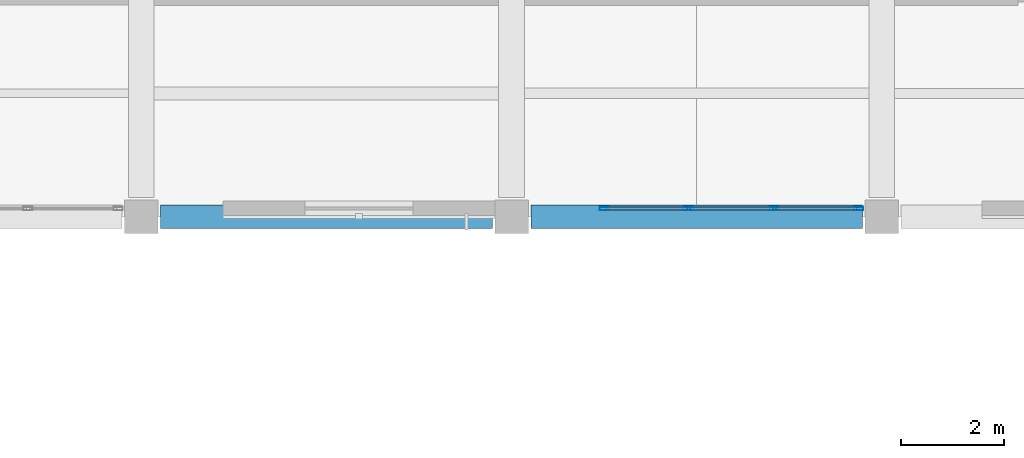
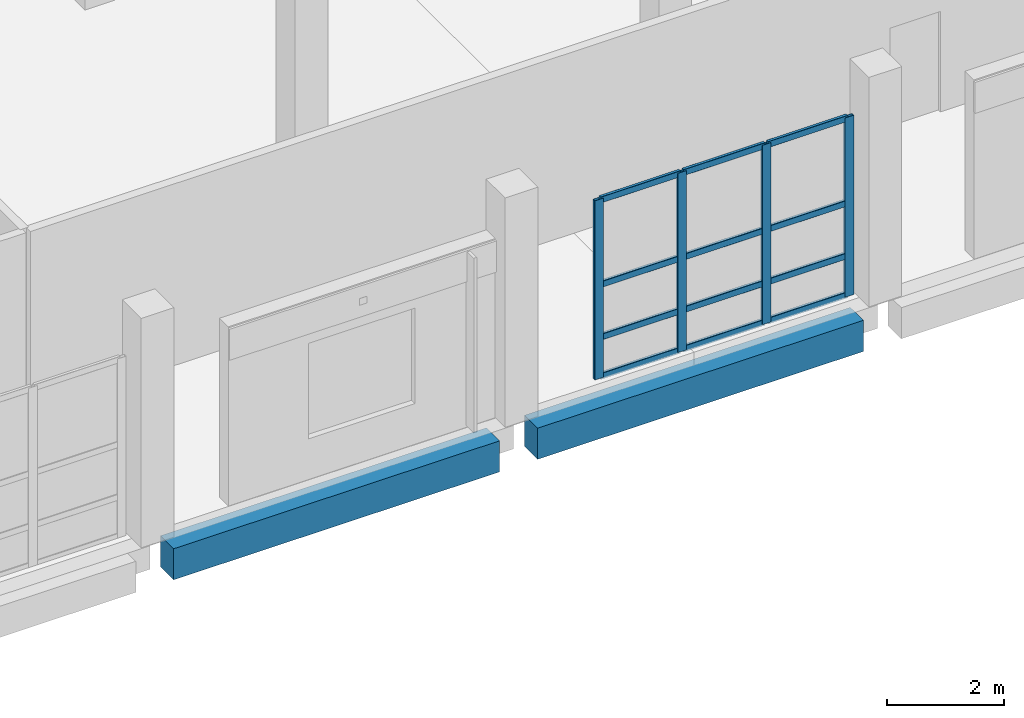
# One storey, part 55 of 127: 16 members, 2 beams, 1 element without a shape of its own.
"""IFC4 building model written with IfcOpenShell, lengths in metres."""

from ifc_helpers import new_model, si_unit, direction, frame, origin, origin_2d, place, context, subcontext, project, spatial, rectangle, hollow_rectangle, extrude, material, material_profile, profile_set, type_object, element, aggregate, save


model = new_model("IFC4")

# Units and contexts
model_context = context("Model", 3, precision=1e-05, world=origin(), true_north=direction((0.0, 1.0)))
body_context = subcontext(model_context, "Body", "Model", "MODEL_VIEW")
ifc_project = project(units=[si_unit("LENGTHUNIT", "METRE"), si_unit("AREAUNIT", "SQUARE_METRE"), si_unit("VOLUMEUNIT", "CUBIC_METRE"), si_unit("PLANEANGLEUNIT", "RADIAN"), si_unit("MASSUNIT", "GRAM", prefix="KILO")], contexts=[model_context])

# Site, building, storey
site_placement = place(None, origin())
site = spatial("IfcSite", under=ifc_project, at=site_placement, CompositionType="ELEMENT")
building_placement = place(site_placement, origin())
building = spatial("IfcBuilding", under=site, at=building_placement, Name="Kalmorath City Hall", CompositionType="ELEMENT")
storey_placement = place(building_placement, frame((0.0, 0.0, 5.39990234375)))
storey = spatial("IfcBuildingStorey", under=building, at=storey_placement, Name="L01", CompositionType="ELEMENT", Elevation=5.39990234375)

# Beams
ifc_material_1 = material(Name="Concrete C40/50", Category="concrete")
ifc_material_profile_1 = material_profile(ifc_material_1, rectangle(XDim=0.449951171875, YDim=0.64990234375, at=origin_2d()), Name="RC-BM-450X650")
ifc_profile_set_1 = profile_set([ifc_material_profile_1], Name="Concrete C40/50")
beam_type = type_object("IfcBeamType", Name="Concrete spandrel beam 450x650", PredefinedType="SPANDREL", material=ifc_profile_set_1)
for number, where, z_axis, x_axis, name in (
    (1, (93.97509765625, 93.60009765625, -0.64892578125), (1.0, 0.0, 0.0), (0.0, 1.0, 0.0), "L01 girder CB5 X14-15/14"),
    (2, (101.175048828125, 93.60009765625, -0.64892578125), (1.0, 0.0, 0.0), (0.0, 1.0, 0.0), "L01 girder CB5 X15-16/14"),
):
    element("IfcBeam", number, at=place(storey_placement, frame(where, z_axis=z_axis, x_axis=x_axis)), inside=storey, type_object=beam_type, Name=name, PredefinedType="SPANDREL", context=body_context, shape_type="SweptSolid", body=[
        extrude(rectangle(XDim=0.449951171875, YDim=0.64990234375, at=origin_2d()), origin(), (0.0, 0.0, 1.0), 6.449951171875),
    ])

# Curtain wall, members
ifc_material_2 = material(Name="Anodised aluminium and laminated glass", Category="aluminium")
curtain_wall_type = type_object("IfcCurtainWallType", Name="Unitised hurricane curtain wall 5016x3751 M1750", PredefinedType="NOTDEFINED", material=ifc_material_2)
curtain_wall_placement = place(storey_placement, origin())
curtain_wall = element("IfcCurtainWall", 3, at=curtain_wall_placement, inside=storey, type_object=curtain_wall_type, Name="L01 curtain wall CW-50X38M18 #102", PredefinedType="NOTDEFINED")
ifc_material_3 = material(Name="Anodised aluminium framing", Category="aluminium")
ifc_material_profile_2 = material_profile(ifc_material_3, hollow_rectangle(XDim=0.06494140625, YDim=0.179931640625, WallThickness=0.00390625, InnerFilletRadius=0.00390625, OuterFilletRadius=0.008056640625, at=origin_2d()), Name="ALU-MUL-180X65X4")
ifc_profile_set_2 = profile_set([ifc_material_profile_2], Name="Anodised aluminium framing")
member_type_1 = type_object("IfcMemberType", Name="Curtain-wall courtyard mullion 180x65", PredefinedType="MULLION", material=ifc_profile_set_2)
member_1_placement = place(storey_placement, frame((107.552490234375, 93.760009765625, 0.0), z_axis=(0.0, 0.0, 1.0), x_axis=(0.0, -1.0, 0.0)))
member_1 = element("IfcMember", 4, at=member_1_placement, type_object=member_type_1, Name="CW-50X38M18 mullion 1", PredefinedType="MULLION", context=body_context, shape_type="SweptSolid", body=[
    extrude(hollow_rectangle(XDim=0.06494140625, YDim=0.179931640625, WallThickness=0.00390625, InnerFilletRadius=0.00390625, OuterFilletRadius=0.008056640625, at=origin_2d()), origin(), (0.0, 0.0, 1.0), 3.7509765625),
])
member_2_placement = place(storey_placement, frame((105.9130859375, 93.760009765625, 0.0), z_axis=(0.0, 0.0, 1.0), x_axis=(0.0, -1.0, 0.0)))
member_2 = element("IfcMember", 5, at=member_2_placement, type_object=member_type_1, Name="CW-50X38M18 mullion 2", PredefinedType="MULLION", context=body_context, shape_type="SweptSolid", body=[
    extrude(hollow_rectangle(XDim=0.06494140625, YDim=0.179931640625, WallThickness=0.00390625, InnerFilletRadius=0.00390625, OuterFilletRadius=0.008056640625, at=origin_2d()), origin(), (0.0, 0.0, 1.0), 3.7509765625),
])
member_3_placement = place(storey_placement, frame((104.240966796875, 93.760009765625, 0.0), z_axis=(0.0, 0.0, 1.0), x_axis=(0.0, -1.0, 0.0)))
member_3 = element("IfcMember", 6, at=member_3_placement, type_object=member_type_1, Name="CW-50X38M18 mullion 3", PredefinedType="MULLION", context=body_context, shape_type="SweptSolid", body=[
    extrude(hollow_rectangle(XDim=0.06494140625, YDim=0.179931640625, WallThickness=0.00390625, InnerFilletRadius=0.00390625, OuterFilletRadius=0.008056640625, at=origin_2d()), origin(), (0.0, 0.0, 1.0), 3.7509765625),
])
member_4_placement = place(storey_placement, frame((102.601318359375, 93.760009765625, 0.0), z_axis=(0.0, 0.0, 1.0), x_axis=(0.0, -1.0, 0.0)))
member_4 = element("IfcMember", 7, at=member_4_placement, type_object=member_type_1, Name="CW-50X38M18 mullion 4", PredefinedType="MULLION", context=body_context, shape_type="SweptSolid", body=[
    extrude(hollow_rectangle(XDim=0.06494140625, YDim=0.179931640625, WallThickness=0.00390625, InnerFilletRadius=0.00390625, OuterFilletRadius=0.008056640625, at=origin_2d()), origin(), (0.0, 0.0, 1.0), 3.7509765625),
])
ifc_material_4 = material(Name="Anodised aluminium framing", Category="aluminium")
ifc_material_profile_3 = material_profile(ifc_material_4, hollow_rectangle(XDim=0.06005859375, YDim=0.1298828125, WallThickness=0.00341796875, InnerFilletRadius=0.00341796875, OuterFilletRadius=0.007080078125, at=origin_2d()), Name="ALU-TRN-130X60X3.5")
ifc_profile_set_3 = profile_set([ifc_material_profile_3], Name="Anodised aluminium framing")
member_type_2 = type_object("IfcMemberType", Name="Curtain-wall courtyard transom 130x60", PredefinedType="USERDEFINED", material=ifc_profile_set_3)
member_5_placement = place(storey_placement, frame((107.52001953125, 93.760009765625, 0.030029296875), z_axis=(-1.0, 0.0, 0.0), x_axis=(0.0, -1.0, 0.0)))
member_5 = element("IfcMember", 8, at=member_5_placement, type_object=member_type_2, Name="CW-50X38M18 transom 1.1", ObjectType="TRANSOM", PredefinedType="USERDEFINED", context=body_context, shape_type="SweptSolid", body=[
    extrude(hollow_rectangle(XDim=0.06005859375, YDim=0.1298828125, WallThickness=0.00341796875, InnerFilletRadius=0.00341796875, OuterFilletRadius=0.007080078125, at=origin_2d()), origin(), (0.0, 0.0, 1.0), 1.574462890625),
])
member_6_placement = place(storey_placement, frame((107.52001953125, 93.760009765625, 0.85009765625), z_axis=(-1.0, 0.0, 0.0), x_axis=(0.0, -1.0, 0.0)))
member_6 = element("IfcMember", 9, at=member_6_placement, type_object=member_type_2, Name="CW-50X38M18 transom 1.2", ObjectType="TRANSOM", PredefinedType="USERDEFINED", context=body_context, shape_type="SweptSolid", body=[
    extrude(hollow_rectangle(XDim=0.06005859375, YDim=0.1298828125, WallThickness=0.00341796875, InnerFilletRadius=0.00341796875, OuterFilletRadius=0.007080078125, at=origin_2d()), origin(), (0.0, 0.0, 1.0), 1.574462890625),
])
member_7_placement = place(storey_placement, frame((107.52001953125, 93.760009765625, 1.951171875), z_axis=(-1.0, 0.0, 0.0), x_axis=(0.0, -1.0, 0.0)))
member_7 = element("IfcMember", 10, at=member_7_placement, type_object=member_type_2, Name="CW-50X38M18 transom 1.3", ObjectType="TRANSOM", PredefinedType="USERDEFINED", context=body_context, shape_type="SweptSolid", body=[
    extrude(hollow_rectangle(XDim=0.06005859375, YDim=0.1298828125, WallThickness=0.00341796875, InnerFilletRadius=0.00341796875, OuterFilletRadius=0.007080078125, at=origin_2d()), origin(), (0.0, 0.0, 1.0), 1.574462890625),
])
member_8_placement = place(storey_placement, frame((107.52001953125, 93.760009765625, 3.72119140625), z_axis=(-1.0, 0.0, 0.0), x_axis=(0.0, -1.0, 0.0)))
member_8 = element("IfcMember", 11, at=member_8_placement, type_object=member_type_2, Name="CW-50X38M18 transom 1.4", ObjectType="TRANSOM", PredefinedType="USERDEFINED", context=body_context, shape_type="SweptSolid", body=[
    extrude(hollow_rectangle(XDim=0.06005859375, YDim=0.1298828125, WallThickness=0.00341796875, InnerFilletRadius=0.00341796875, OuterFilletRadius=0.007080078125, at=origin_2d()), origin(), (0.0, 0.0, 1.0), 1.574462890625),
])
member_9_placement = place(storey_placement, frame((105.88037109375, 93.760009765625, 0.030029296875), z_axis=(-1.0, 0.0, 0.0), x_axis=(0.0, -1.0, 0.0)))
member_9 = element("IfcMember", 12, at=member_9_placement, type_object=member_type_2, Name="CW-50X38M18 transom 2.1", ObjectType="TRANSOM", PredefinedType="USERDEFINED", context=body_context, shape_type="SweptSolid", body=[
    extrude(hollow_rectangle(XDim=0.06005859375, YDim=0.1298828125, WallThickness=0.00341796875, InnerFilletRadius=0.00341796875, OuterFilletRadius=0.007080078125, at=origin_2d()), origin(), (0.0, 0.0, 1.0), 1.60693359375),
])
member_10_placement = place(storey_placement, frame((105.88037109375, 93.760009765625, 0.85009765625), z_axis=(-1.0, 0.0, 0.0), x_axis=(0.0, -1.0, 0.0)))
member_10 = element("IfcMember", 13, at=member_10_placement, type_object=member_type_2, Name="CW-50X38M18 transom 2.2", ObjectType="TRANSOM", PredefinedType="USERDEFINED", context=body_context, shape_type="SweptSolid", body=[
    extrude(hollow_rectangle(XDim=0.06005859375, YDim=0.1298828125, WallThickness=0.00341796875, InnerFilletRadius=0.00341796875, OuterFilletRadius=0.007080078125, at=origin_2d()), origin(), (0.0, 0.0, 1.0), 1.60693359375),
])
member_11_placement = place(storey_placement, frame((105.88037109375, 93.760009765625, 1.951171875), z_axis=(-1.0, 0.0, 0.0), x_axis=(0.0, -1.0, 0.0)))
member_11 = element("IfcMember", 14, at=member_11_placement, type_object=member_type_2, Name="CW-50X38M18 transom 2.3", ObjectType="TRANSOM", PredefinedType="USERDEFINED", context=body_context, shape_type="SweptSolid", body=[
    extrude(hollow_rectangle(XDim=0.06005859375, YDim=0.1298828125, WallThickness=0.00341796875, InnerFilletRadius=0.00341796875, OuterFilletRadius=0.007080078125, at=origin_2d()), origin(), (0.0, 0.0, 1.0), 1.60693359375),
])
member_12_placement = place(storey_placement, frame((105.88037109375, 93.760009765625, 3.72119140625), z_axis=(-1.0, 0.0, 0.0), x_axis=(0.0, -1.0, 0.0)))
member_12 = element("IfcMember", 15, at=member_12_placement, type_object=member_type_2, Name="CW-50X38M18 transom 2.4", ObjectType="TRANSOM", PredefinedType="USERDEFINED", context=body_context, shape_type="SweptSolid", body=[
    extrude(hollow_rectangle(XDim=0.06005859375, YDim=0.1298828125, WallThickness=0.00341796875, InnerFilletRadius=0.00341796875, OuterFilletRadius=0.007080078125, at=origin_2d()), origin(), (0.0, 0.0, 1.0), 1.60693359375),
])
member_13_placement = place(storey_placement, frame((104.20849609375, 93.760009765625, 0.030029296875), z_axis=(-1.0, 0.0, 0.0), x_axis=(0.0, -1.0, 0.0)))
member_13 = element("IfcMember", 16, at=member_13_placement, type_object=member_type_2, Name="CW-50X38M18 transom 3.1", ObjectType="TRANSOM", PredefinedType="USERDEFINED", context=body_context, shape_type="SweptSolid", body=[
    extrude(hollow_rectangle(XDim=0.06005859375, YDim=0.1298828125, WallThickness=0.00341796875, InnerFilletRadius=0.00341796875, OuterFilletRadius=0.007080078125, at=origin_2d()), origin(), (0.0, 0.0, 1.0), 1.57470703125),
])
member_14_placement = place(storey_placement, frame((104.20849609375, 93.760009765625, 0.85009765625), z_axis=(-1.0, 0.0, 0.0), x_axis=(0.0, -1.0, 0.0)))
member_14 = element("IfcMember", 17, at=member_14_placement, type_object=member_type_2, Name="CW-50X38M18 transom 3.2", ObjectType="TRANSOM", PredefinedType="USERDEFINED", context=body_context, shape_type="SweptSolid", body=[
    extrude(hollow_rectangle(XDim=0.06005859375, YDim=0.1298828125, WallThickness=0.00341796875, InnerFilletRadius=0.00341796875, OuterFilletRadius=0.007080078125, at=origin_2d()), origin(), (0.0, 0.0, 1.0), 1.57470703125),
])
member_15_placement = place(storey_placement, frame((104.20849609375, 93.760009765625, 1.951171875), z_axis=(-1.0, 0.0, 0.0), x_axis=(0.0, -1.0, 0.0)))
member_15 = element("IfcMember", 18, at=member_15_placement, type_object=member_type_2, Name="CW-50X38M18 transom 3.3", ObjectType="TRANSOM", PredefinedType="USERDEFINED", context=body_context, shape_type="SweptSolid", body=[
    extrude(hollow_rectangle(XDim=0.06005859375, YDim=0.1298828125, WallThickness=0.00341796875, InnerFilletRadius=0.00341796875, OuterFilletRadius=0.007080078125, at=origin_2d()), origin(), (0.0, 0.0, 1.0), 1.57470703125),
])
member_16_placement = place(storey_placement, frame((104.20849609375, 93.760009765625, 3.72119140625), z_axis=(-1.0, 0.0, 0.0), x_axis=(0.0, -1.0, 0.0)))
member_16 = element("IfcMember", 19, at=member_16_placement, type_object=member_type_2, Name="CW-50X38M18 transom 3.4", ObjectType="TRANSOM", PredefinedType="USERDEFINED", context=body_context, shape_type="SweptSolid", body=[
    extrude(hollow_rectangle(XDim=0.06005859375, YDim=0.1298828125, WallThickness=0.00341796875, InnerFilletRadius=0.00341796875, OuterFilletRadius=0.007080078125, at=origin_2d()), origin(), (0.0, 0.0, 1.0), 1.57470703125),
])
aggregate(curtain_wall, [member_1, member_2, member_3, member_4, member_5, member_6, member_7, member_8, member_9, member_10, member_11, member_12, member_13, member_14, member_15, member_16])

save(model, "model.ifc")
